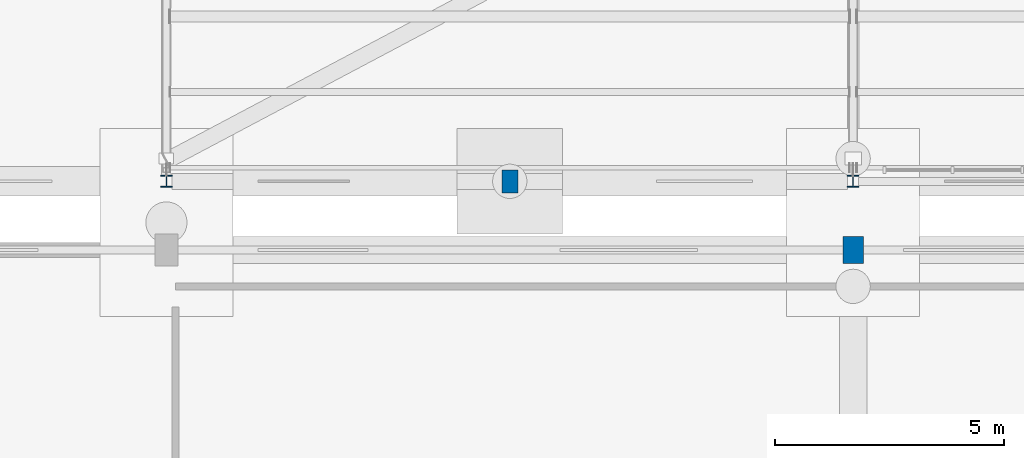
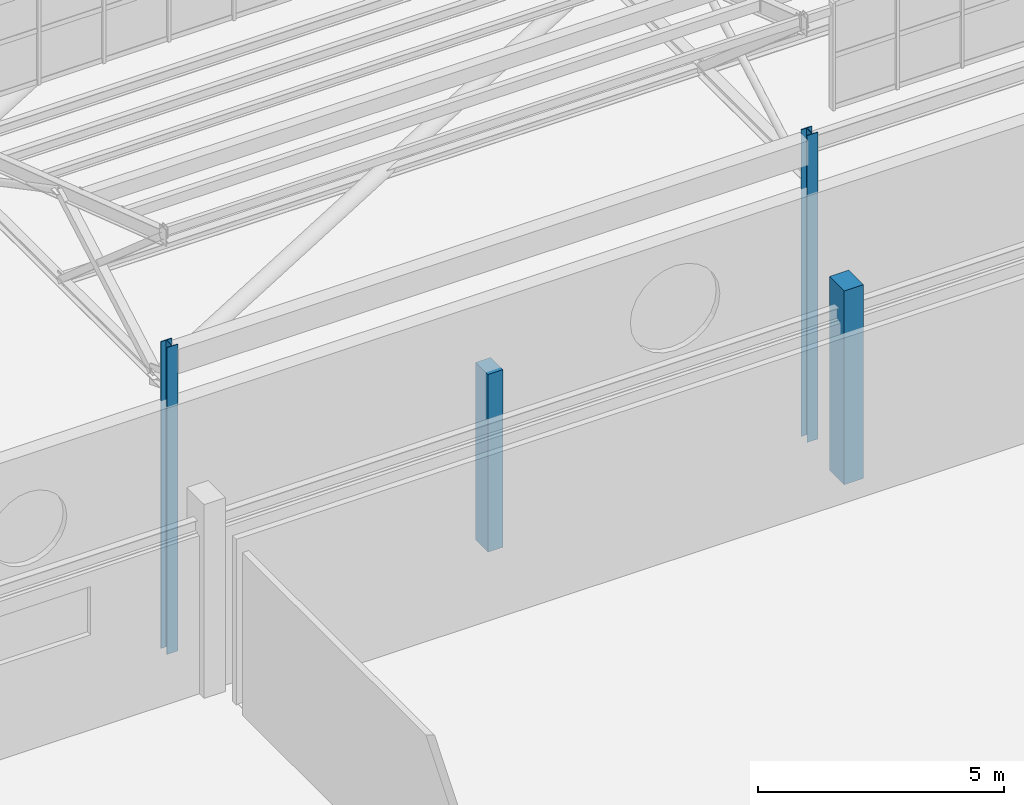
# One storey, part 13 of 285: 4 columns.
"""IFC4 building model written with IfcOpenShell, lengths in metres."""

from ifc_helpers import new_model, si_unit, direction, frame, origin, origin_2d, place, context, subcontext, project, spatial, rectangle, i_section, extrude, material, material_profile, profile_set, type_object, element, save


model = new_model("IFC4")

# Units and contexts
model_context = context("Model", 3, precision=1e-05, world=origin(), true_north=direction((0.0, 1.0)))
body_context = subcontext(model_context, "Body", "Model", "MODEL_VIEW")
ifc_project = project(units=[si_unit("LENGTHUNIT", "METRE"), si_unit("AREAUNIT", "SQUARE_METRE"), si_unit("VOLUMEUNIT", "CUBIC_METRE"), si_unit("PLANEANGLEUNIT", "RADIAN"), si_unit("MASSUNIT", "GRAM", prefix="KILO")], contexts=[model_context])

# Site, building, storey
site_placement = place(None, origin())
site = spatial("IfcSite", under=ifc_project, at=site_placement, CompositionType="ELEMENT")
building_placement = place(site_placement, origin())
building = spatial("IfcBuilding", under=site, at=building_placement, Name="Solanera Park Tramway Depot", CompositionType="ELEMENT")
storey_placement = place(building_placement, origin())
storey = spatial("IfcBuildingStorey", under=building, at=storey_placement, Name="L00", CompositionType="ELEMENT", Elevation=0.0)

# Columns
ifc_material_1 = material(Name="Concrete N40 (C40/50)", Category="concrete")
ifc_material_profile_1 = material_profile(ifc_material_1, rectangle(XDim=0.35009765625, YDim=0.5, at=origin_2d()), Name="PIL 350x500")
ifc_profile_set_1 = profile_set([ifc_material_profile_1], Name="Concrete N40 (C40/50)")
column_type_1 = type_object("IfcColumnType", Name="Classical Facade Pilaster PIL 350x500", PredefinedType="PILASTER", material=ifc_profile_set_1)
column_1_placement = place(storey_placement, frame((22.5, 55.5, 0.0), z_axis=(0.0, 0.0, 1.0), x_axis=(1.0, 0.0, 0.0)))
element("IfcColumn", 1, at=column_1_placement, inside=storey, type_object=column_type_1, Name="L00 Classical Pilaster 01", PredefinedType="PILASTER", context=body_context, shape_type="SweptSolid", body=[
    extrude(rectangle(XDim=0.35009765625, YDim=0.5, at=origin_2d()), origin(), (0.0, 0.0, 1.0), 4.39990234375),
])
ifc_material_2 = material(Name="Concrete N40 (C40/50)", Category="concrete")
ifc_material_profile_2 = material_profile(ifc_material_2, rectangle(XDim=0.449951171875, YDim=0.60009765625, at=origin_2d()), Name="RC 450x600")
ifc_profile_set_2 = profile_set([ifc_material_profile_2], Name="Concrete N40 (C40/50)")
column_type_2 = type_object("IfcColumnType", Name="RC Column Ext RC 450x600", PredefinedType="COLUMN", material=ifc_profile_set_2)
column_2_placement = place(storey_placement, frame((30.0, 54.0, 0.0), z_axis=(0.0, 0.0, 1.0), x_axis=(1.0, 0.0, 0.0)))
element("IfcColumn", 2, at=column_2_placement, inside=storey, type_object=column_type_2, Name="L00 Column V2-X300-Y540", PredefinedType="COLUMN", context=body_context, shape_type="SweptSolid", body=[
    extrude(rectangle(XDim=0.449951171875, YDim=0.60009765625, at=origin_2d()), origin(), (0.0, 0.0, 1.0), 4.800048828125),
])
ifc_material_3 = material(Name="Steel AS/NZS 3679.1 Grade 350", Category="steel")
ifc_material_profile_3 = material_profile(ifc_material_3, i_section(OverallWidth=0.255615234375, OverallDepth=0.260009765625, WebThickness=0.010498046875, FlangeThickness=0.017333984375, at=origin_2d()), Name="250UC89.5")
ifc_profile_set_3 = profile_set([ifc_material_profile_3], Name="Steel AS/NZS 3679.1 Grade 350")
column_type_3 = type_object("IfcColumnType", Name="Steel Column Ext 250UC89.5", PredefinedType="COLUMN", material=ifc_profile_set_3)
for number, where, z_axis, x_axis, name in (
    (3, (15.0, 55.5, 0.0), (0.0, 0.0, 1.0), (1.0, 0.0, 0.0), "L00 Column V1-X150-Y555"),
    (4, (30.0, 55.5, 0.0), (0.0, 0.0, 1.0), (1.0, 0.0, 0.0), "L00 Column V1-X300-Y555"),
):
    element("IfcColumn", number, at=place(storey_placement, frame(where, z_axis=z_axis, x_axis=x_axis)), inside=storey, type_object=column_type_3, Name=name, PredefinedType="COLUMN", context=body_context, shape_type="SweptSolid", body=[
        extrude(i_section(OverallWidth=0.255615234375, OverallDepth=0.260009765625, WebThickness=0.010498046875, FlangeThickness=0.017333984375, at=origin_2d()), origin(), (0.0, 0.0, 1.0), 7.60009765625),
    ])

save(model, "model.ifc")
